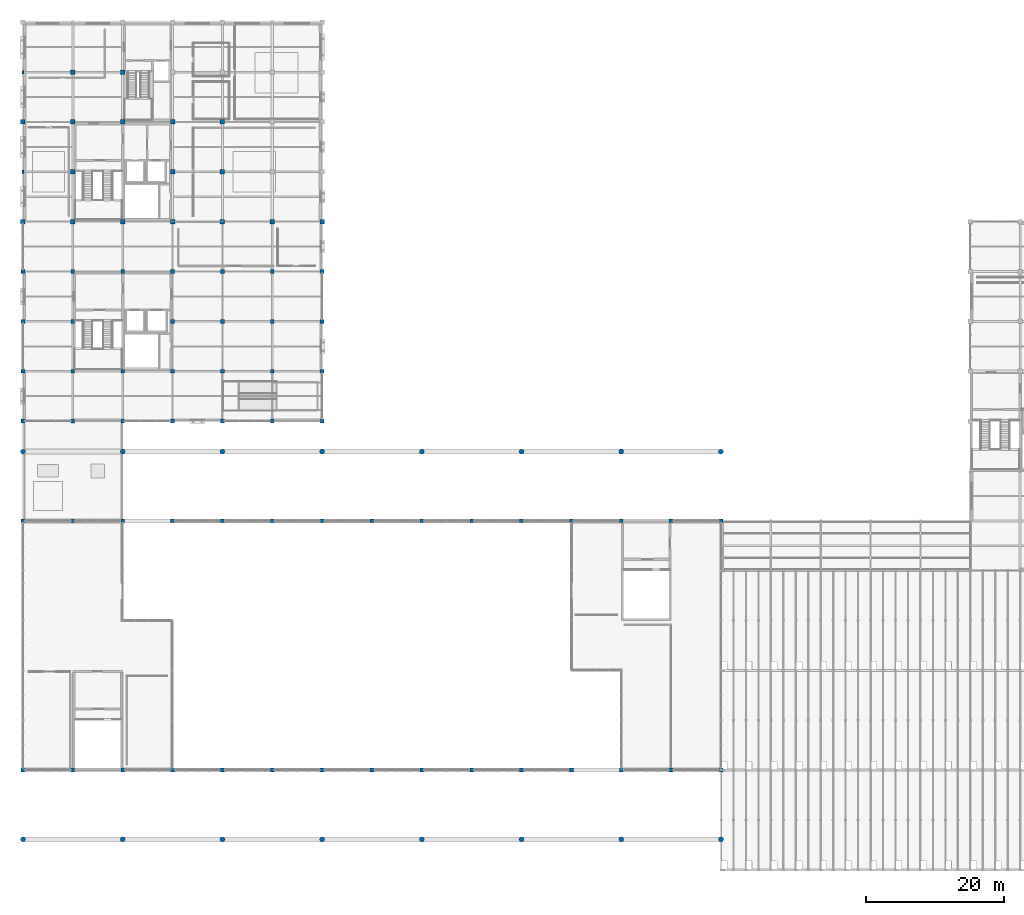
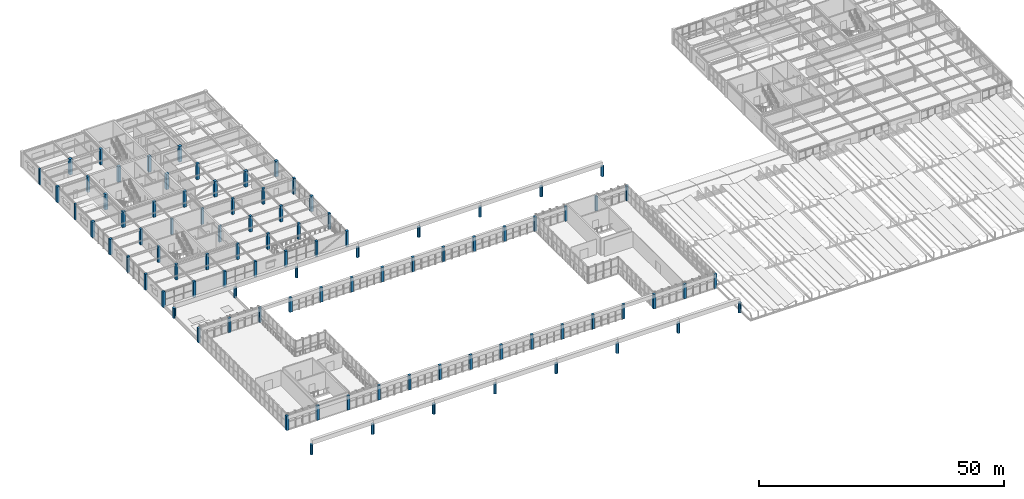
# One storey, part 1 of 83: 92 columns.
"""IFC4 building model written with IfcOpenShell, lengths in metres."""

from ifc_helpers import new_model, si_unit, direction, frame, origin, origin_2d, place, context, subcontext, project, spatial, rectangle, circle, extrude, material, material_profile, profile_set, type_object, element, save


model = new_model("IFC4")

# Units and contexts
model_context = context("Model", 3, precision=1e-05, world=origin(), true_north=direction((0.0, 1.0)))
body_context = subcontext(model_context, "Body", "Model", "MODEL_VIEW")
ifc_project = project(units=[si_unit("LENGTHUNIT", "METRE"), si_unit("AREAUNIT", "SQUARE_METRE"), si_unit("VOLUMEUNIT", "CUBIC_METRE"), si_unit("PLANEANGLEUNIT", "RADIAN"), si_unit("MASSUNIT", "GRAM", prefix="KILO")], contexts=[model_context])

# Site, building, storey
site_placement = place(None, origin())
site = spatial("IfcSite", under=ifc_project, at=site_placement, CompositionType="ELEMENT")
building_placement = place(site_placement, origin())
building = spatial("IfcBuilding", under=site, at=building_placement, Name="Leyfeld Transit Interchange", CompositionType="ELEMENT")
storey_placement = place(building_placement, frame((0.0, 0.0, 5.39990234375)))
storey = spatial("IfcBuildingStorey", under=building, at=storey_placement, Name="L01", CompositionType="ELEMENT", Elevation=5.39990234375)

# Columns
ifc_material = material(Name="Concrete C35/45", Category="concrete")
ifc_material_profile_1 = material_profile(ifc_material, rectangle(XDim=0.35009765625, YDim=0.5, at=origin_2d()), Name="RC 500x350")
ifc_profile_set_1 = profile_set([ifc_material_profile_1], Name="Concrete C35/45")
column_type_1 = type_object("IfcColumnType", Name="COL-PIL-500", PredefinedType="PILASTER", material=ifc_profile_set_1)
for number, where, z_axis, x_axis, name in (
    (1, (0.0, 100.800048828125, 0.0), (0.0, 0.0, 1.0), (1.0, 0.0, 0.0), "Column COL-L01-0000_1008"),
    (2, (0.0, 115.199951171875, 0.0), (0.0, 0.0, 1.0), (1.0, 0.0, 0.0), "Column COL-L01-0000_1152"),
):
    element("IfcColumn", number, at=place(storey_placement, frame(where, z_axis=z_axis, x_axis=x_axis)), inside=storey, type_object=column_type_1, Name=name, PredefinedType="PILASTER", context=body_context, shape_type="SweptSolid", body=[
        extrude(rectangle(XDim=0.35009765625, YDim=0.5, at=origin_2d()), origin(), (0.0, 0.0, 1.0), 3.880126953125),
    ])
ifc_material_profile_2 = material_profile(ifc_material, rectangle(XDim=0.550048828125, YDim=0.550048828125, at=origin_2d()), Name="RC 550x550")
ifc_profile_set_2 = profile_set([ifc_material_profile_2], Name="Concrete C35/45")
column_type_2 = type_object("IfcColumnType", Name="COL-RC-550", PredefinedType="COLUMN", material=ifc_profile_set_2)
for number, where, z_axis, x_axis, name in (
    (3, (0.0, 14.39990234375, 0.0), (0.0, 0.0, 1.0), (1.0, 0.0, 0.0), "Column COL-L01-0000_0144"),
    (4, (0.0, 50.39990234375, 0.0), (0.0, 0.0, 1.0), (1.0, 0.0, 0.0), "Column COL-L01-0000_0504"),
):
    element("IfcColumn", number, at=place(storey_placement, frame(where, z_axis=z_axis, x_axis=x_axis)), inside=storey, type_object=column_type_2, Name=name, PredefinedType="COLUMN", context=body_context, shape_type="SweptSolid", body=[
        extrude(rectangle(XDim=0.550048828125, YDim=0.550048828125, at=origin_2d()), origin(), (0.0, 0.0, 1.0), 3.60009765625),
    ])
for number, where, z_axis, x_axis, name in (
    (5, (0.0, 64.800048828125, 0.0), (0.0, 0.0, 1.0), (1.0, 0.0, 0.0), "Column COL-L01-0000_0648"),
    (6, (0.0, 72.0, 0.0), (0.0, 0.0, 1.0), (0.0, 1.0, 0.0), "Column COL-L01-0000_0720"),
    (7, (0.0, 79.199951171875, 0.0), (0.0, 0.0, 1.0), (0.0, 1.0, 0.0), "Column COL-L01-0000_0792"),
    (8, (0.0, 86.39990234375, 0.0), (0.0, 0.0, 1.0), (0.0, 1.0, 0.0), "Column COL-L01-0000_0864"),
):
    element("IfcColumn", number, at=place(storey_placement, frame(where, z_axis=z_axis, x_axis=x_axis)), inside=storey, type_object=column_type_2, Name=name, PredefinedType="COLUMN", context=body_context, shape_type="SweptSolid", body=[
        extrude(rectangle(XDim=0.550048828125, YDim=0.550048828125, at=origin_2d()), origin(), (0.0, 0.0, 1.0), 3.920166015625),
    ])
for number, where, z_axis, x_axis, name in (
    (9, (7.199951171875, 14.39990234375, 0.0), (0.0, 0.0, 1.0), (1.0, 0.0, 0.0), "Column COL-L01-0072_0144"),
    (10, (7.199951171875, 50.39990234375, 0.0), (0.0, 0.0, 1.0), (1.0, 0.0, 0.0), "Column COL-L01-0072_0504"),
):
    element("IfcColumn", number, at=place(storey_placement, frame(where, z_axis=z_axis, x_axis=x_axis)), inside=storey, type_object=column_type_2, Name=name, PredefinedType="COLUMN", context=body_context, shape_type="SweptSolid", body=[
        extrude(rectangle(XDim=0.550048828125, YDim=0.550048828125, at=origin_2d()), origin(), (0.0, 0.0, 1.0), 3.60009765625),
    ])
for number, where, z_axis, x_axis, name in (
    (11, (7.199951171875, 64.800048828125, 0.0), (0.0, 0.0, 1.0), (1.0, 0.0, 0.0), "Column COL-L01-0072_0648"),
    (12, (7.199951171875, 72.0, 0.0), (0.0, 0.0, 1.0), (1.0, 0.0, 0.0), "Column COL-L01-0072_0720"),
    (13, (7.199951171875, 79.199951171875, 0.0), (0.0, 0.0, 1.0), (1.0, 0.0, 0.0), "Column COL-L01-0072_0792"),
    (14, (7.199951171875, 86.39990234375, 0.0), (0.0, 0.0, 1.0), (1.0, 0.0, 0.0), "Column COL-L01-0072_0864"),
):
    element("IfcColumn", number, at=place(storey_placement, frame(where, z_axis=z_axis, x_axis=x_axis)), inside=storey, type_object=column_type_2, Name=name, PredefinedType="COLUMN", context=body_context, shape_type="SweptSolid", body=[
        extrude(rectangle(XDim=0.550048828125, YDim=0.550048828125, at=origin_2d()), origin(), (0.0, 0.0, 1.0), 3.920166015625),
    ])
for number, where, z_axis, x_axis, name in (
    (15, (14.39990234375, 14.39990234375, 0.0), (0.0, 0.0, 1.0), (1.0, 0.0, 0.0), "Column COL-L01-0144_0144"),
    (16, (14.39990234375, 50.39990234375, 0.0), (0.0, 0.0, 1.0), (1.0, 0.0, 0.0), "Column COL-L01-0144_0504"),
):
    element("IfcColumn", number, at=place(storey_placement, frame(where, z_axis=z_axis, x_axis=x_axis)), inside=storey, type_object=column_type_2, Name=name, PredefinedType="COLUMN", context=body_context, shape_type="SweptSolid", body=[
        extrude(rectangle(XDim=0.550048828125, YDim=0.550048828125, at=origin_2d()), origin(), (0.0, 0.0, 1.0), 3.60009765625),
    ])
for number, where, z_axis, x_axis, name in (
    (17, (14.39990234375, 64.800048828125, 0.0), (0.0, 0.0, 1.0), (1.0, 0.0, 0.0), "Column COL-L01-0144_0648"),
    (18, (14.39990234375, 72.0, 0.0), (0.0, 0.0, 1.0), (1.0, 0.0, 0.0), "Column COL-L01-0144_0720"),
    (19, (14.39990234375, 86.39990234375, 0.0), (0.0, 0.0, 1.0), (1.0, 0.0, 0.0), "Column COL-L01-0144_0864"),
):
    element("IfcColumn", number, at=place(storey_placement, frame(where, z_axis=z_axis, x_axis=x_axis)), inside=storey, type_object=column_type_2, Name=name, PredefinedType="COLUMN", context=body_context, shape_type="SweptSolid", body=[
        extrude(rectangle(XDim=0.550048828125, YDim=0.550048828125, at=origin_2d()), origin(), (0.0, 0.0, 1.0), 3.920166015625),
    ])
for number, where, z_axis, x_axis, name in (
    (20, (21.60009765625, 14.39990234375, 0.0), (0.0, 0.0, 1.0), (1.0, 0.0, 0.0), "Column COL-L01-0216_0144"),
    (21, (21.60009765625, 50.39990234375, 0.0), (0.0, 0.0, 1.0), (1.0, 0.0, 0.0), "Column COL-L01-0216_0504"),
):
    element("IfcColumn", number, at=place(storey_placement, frame(where, z_axis=z_axis, x_axis=x_axis)), inside=storey, type_object=column_type_2, Name=name, PredefinedType="COLUMN", context=body_context, shape_type="SweptSolid", body=[
        extrude(rectangle(XDim=0.550048828125, YDim=0.550048828125, at=origin_2d()), origin(), (0.0, 0.0, 1.0), 3.60009765625),
    ])
for number, where, z_axis, x_axis, name in (
    (22, (21.60009765625, 64.800048828125, 0.0), (0.0, 0.0, 1.0), (1.0, 0.0, 0.0), "Column COL-L01-0216_0648"),
    (23, (21.60009765625, 72.0, 0.0), (0.0, 0.0, 1.0), (1.0, 0.0, 0.0), "Column COL-L01-0216_0720"),
    (24, (21.60009765625, 79.199951171875, 0.0), (0.0, 0.0, 1.0), (1.0, 0.0, 0.0), "Column COL-L01-0216_0792"),
    (25, (21.60009765625, 86.39990234375, 0.0), (0.0, 0.0, 1.0), (1.0, 0.0, 0.0), "Column COL-L01-0216_0864"),
):
    element("IfcColumn", number, at=place(storey_placement, frame(where, z_axis=z_axis, x_axis=x_axis)), inside=storey, type_object=column_type_2, Name=name, PredefinedType="COLUMN", context=body_context, shape_type="SweptSolid", body=[
        extrude(rectangle(XDim=0.550048828125, YDim=0.550048828125, at=origin_2d()), origin(), (0.0, 0.0, 1.0), 3.920166015625),
    ])
for number, where, z_axis, x_axis, name in (
    (26, (28.800048828125, 14.39990234375, 0.0), (0.0, 0.0, 1.0), (1.0, 0.0, 0.0), "Column COL-L01-0288_0144"),
    (27, (28.800048828125, 50.39990234375, 0.0), (0.0, 0.0, 1.0), (1.0, 0.0, 0.0), "Column COL-L01-0288_0504"),
):
    element("IfcColumn", number, at=place(storey_placement, frame(where, z_axis=z_axis, x_axis=x_axis)), inside=storey, type_object=column_type_2, Name=name, PredefinedType="COLUMN", context=body_context, shape_type="SweptSolid", body=[
        extrude(rectangle(XDim=0.550048828125, YDim=0.550048828125, at=origin_2d()), origin(), (0.0, 0.0, 1.0), 3.60009765625),
    ])
for number, where, z_axis, x_axis, name in (
    (28, (28.800048828125, 64.800048828125, 0.0), (0.0, 0.0, 1.0), (1.0, 0.0, 0.0), "Column COL-L01-0288_0648"),
    (29, (28.800048828125, 72.0, 0.0), (0.0, 0.0, 1.0), (1.0, 0.0, 0.0), "Column COL-L01-0288_0720"),
    (30, (28.800048828125, 79.199951171875, 0.0), (0.0, 0.0, 1.0), (1.0, 0.0, 0.0), "Column COL-L01-0288_0792"),
    (31, (28.800048828125, 86.39990234375, 0.0), (0.0, 0.0, 1.0), (1.0, 0.0, 0.0), "Column COL-L01-0288_0864"),
):
    element("IfcColumn", number, at=place(storey_placement, frame(where, z_axis=z_axis, x_axis=x_axis)), inside=storey, type_object=column_type_2, Name=name, PredefinedType="COLUMN", context=body_context, shape_type="SweptSolid", body=[
        extrude(rectangle(XDim=0.550048828125, YDim=0.550048828125, at=origin_2d()), origin(), (0.0, 0.0, 1.0), 3.920166015625),
    ])
for number, where, z_axis, x_axis, name in (
    (32, (36.0, 14.39990234375, 0.0), (0.0, 0.0, 1.0), (1.0, 0.0, 0.0), "Column COL-L01-0360_0144"),
    (33, (36.0, 50.39990234375, 0.0), (0.0, 0.0, 1.0), (1.0, 0.0, 0.0), "Column COL-L01-0360_0504"),
):
    element("IfcColumn", number, at=place(storey_placement, frame(where, z_axis=z_axis, x_axis=x_axis)), inside=storey, type_object=column_type_2, Name=name, PredefinedType="COLUMN", context=body_context, shape_type="SweptSolid", body=[
        extrude(rectangle(XDim=0.550048828125, YDim=0.550048828125, at=origin_2d()), origin(), (0.0, 0.0, 1.0), 3.60009765625),
    ])
for number, where, z_axis, x_axis, name in (
    (34, (36.0, 64.800048828125, 0.0), (0.0, 0.0, 1.0), (1.0, 0.0, 0.0), "Column COL-L01-0360_0648"),
    (35, (36.0, 72.0, 0.0), (0.0, 0.0, 1.0), (1.0, 0.0, 0.0), "Column COL-L01-0360_0720"),
    (36, (36.0, 79.199951171875, 0.0), (0.0, 0.0, 1.0), (1.0, 0.0, 0.0), "Column COL-L01-0360_0792"),
    (37, (36.0, 86.39990234375, 0.0), (0.0, 0.0, 1.0), (1.0, 0.0, 0.0), "Column COL-L01-0360_0864"),
):
    element("IfcColumn", number, at=place(storey_placement, frame(where, z_axis=z_axis, x_axis=x_axis)), inside=storey, type_object=column_type_2, Name=name, PredefinedType="COLUMN", context=body_context, shape_type="SweptSolid", body=[
        extrude(rectangle(XDim=0.550048828125, YDim=0.550048828125, at=origin_2d()), origin(), (0.0, 0.0, 1.0), 3.920166015625),
    ])
for number, where, z_axis, x_axis, name in (
    (38, (43.199951171875, 14.39990234375, 0.0), (0.0, 0.0, 1.0), (1.0, 0.0, 0.0), "Column COL-L01-0432_0144"),
    (39, (43.199951171875, 50.39990234375, 0.0), (0.0, 0.0, 1.0), (1.0, 0.0, 0.0), "Column COL-L01-0432_0504"),
):
    element("IfcColumn", number, at=place(storey_placement, frame(where, z_axis=z_axis, x_axis=x_axis)), inside=storey, type_object=column_type_2, Name=name, PredefinedType="COLUMN", context=body_context, shape_type="SweptSolid", body=[
        extrude(rectangle(XDim=0.550048828125, YDim=0.550048828125, at=origin_2d()), origin(), (0.0, 0.0, 1.0), 3.60009765625),
    ])
for number, where, z_axis, x_axis, name in (
    (40, (43.199951171875, 64.800048828125, 0.0), (0.0, 0.0, 1.0), (1.0, 0.0, 0.0), "Column COL-L01-0432_0648"),
    (41, (43.199951171875, 72.0, 0.0), (0.0, 0.0, 1.0), (0.0, 1.0, 0.0), "Column COL-L01-0432_0720"),
    (42, (43.199951171875, 79.199951171875, 0.0), (0.0, 0.0, 1.0), (0.0, 1.0, 0.0), "Column COL-L01-0432_0792"),
    (43, (43.199951171875, 86.39990234375, 0.0), (0.0, 0.0, 1.0), (0.0, 1.0, 0.0), "Column COL-L01-0432_0864"),
):
    element("IfcColumn", number, at=place(storey_placement, frame(where, z_axis=z_axis, x_axis=x_axis)), inside=storey, type_object=column_type_2, Name=name, PredefinedType="COLUMN", context=body_context, shape_type="SweptSolid", body=[
        extrude(rectangle(XDim=0.550048828125, YDim=0.550048828125, at=origin_2d()), origin(), (0.0, 0.0, 1.0), 3.920166015625),
    ])
for number, where, z_axis, x_axis, name in (
    (44, (50.39990234375, 14.39990234375, 0.0), (0.0, 0.0, 1.0), (1.0, 0.0, 0.0), "Column COL-L01-0504_0144"),
    (45, (50.39990234375, 50.39990234375, 0.0), (0.0, 0.0, 1.0), (1.0, 0.0, 0.0), "Column COL-L01-0504_0504"),
    (46, (57.60009765625, 14.39990234375, 0.0), (0.0, 0.0, 1.0), (1.0, 0.0, 0.0), "Column COL-L01-0576_0144"),
    (47, (57.60009765625, 50.39990234375, 0.0), (0.0, 0.0, 1.0), (1.0, 0.0, 0.0), "Column COL-L01-0576_0504"),
    (48, (64.800048828125, 14.39990234375, 0.0), (0.0, 0.0, 1.0), (1.0, 0.0, 0.0), "Column COL-L01-0648_0144"),
    (49, (64.800048828125, 50.39990234375, 0.0), (0.0, 0.0, 1.0), (1.0, 0.0, 0.0), "Column COL-L01-0648_0504"),
    (50, (72.0, 14.39990234375, 0.0), (0.0, 0.0, 1.0), (1.0, 0.0, 0.0), "Column COL-L01-0720_0144"),
    (51, (72.0, 50.39990234375, 0.0), (0.0, 0.0, 1.0), (1.0, 0.0, 0.0), "Column COL-L01-0720_0504"),
    (52, (79.199951171875, 14.39990234375, 0.0), (0.0, 0.0, 1.0), (1.0, 0.0, 0.0), "Column COL-L01-0792_0144"),
    (53, (79.199951171875, 50.39990234375, 0.0), (0.0, 0.0, 1.0), (1.0, 0.0, 0.0), "Column COL-L01-0792_0504"),
    (54, (86.39990234375, 14.39990234375, 0.0), (0.0, 0.0, 1.0), (1.0, 0.0, 0.0), "Column COL-L01-0864_0144"),
    (55, (86.39990234375, 50.39990234375, 0.0), (0.0, 0.0, 1.0), (1.0, 0.0, 0.0), "Column COL-L01-0864_0504"),
    (56, (93.60009765625, 14.39990234375, 0.0), (0.0, 0.0, 1.0), (1.0, 0.0, 0.0), "Column COL-L01-0936_0144"),
    (57, (93.60009765625, 50.39990234375, 0.0), (0.0, 0.0, 1.0), (1.0, 0.0, 0.0), "Column COL-L01-0936_0504"),
    (58, (100.800048828125, 14.39990234375, 0.0), (0.0, 0.0, 1.0), (1.0, 0.0, 0.0), "Column COL-L01-1008_0144"),
    (59, (100.800048828125, 50.39990234375, 0.0), (0.0, 0.0, 1.0), (1.0, 0.0, 0.0), "Column COL-L01-1008_0504"),
):
    element("IfcColumn", number, at=place(storey_placement, frame(where, z_axis=z_axis, x_axis=x_axis)), inside=storey, type_object=column_type_2, Name=name, PredefinedType="COLUMN", context=body_context, shape_type="SweptSolid", body=[
        extrude(rectangle(XDim=0.550048828125, YDim=0.550048828125, at=origin_2d()), origin(), (0.0, 0.0, 1.0), 3.60009765625),
    ])
ifc_material_profile_3 = material_profile(ifc_material, rectangle(XDim=0.64990234375, YDim=0.64990234375, at=origin_2d()), Name="RC 650x650")
ifc_profile_set_3 = profile_set([ifc_material_profile_3], Name="Concrete C35/45")
column_type_3 = type_object("IfcColumnType", Name="COL-RC-650", PredefinedType="COLUMN", material=ifc_profile_set_3)
for number, where, z_axis, x_axis, name in (
    (60, (0.0, 93.60009765625, 0.0), (0.0, 0.0, 1.0), (0.0, 1.0, 0.0), "Column COL-L01-0000_0936"),
    (61, (0.0, 108.0, 0.0), (0.0, 0.0, 1.0), (1.0, 0.0, 0.0), "Column COL-L01-0000_1080"),
    (62, (7.199951171875, 93.60009765625, 0.0), (0.0, 0.0, 1.0), (1.0, 0.0, 0.0), "Column COL-L01-0072_0936"),
    (63, (7.199951171875, 100.800048828125, 0.0), (0.0, 0.0, 1.0), (1.0, 0.0, 0.0), "Column COL-L01-0072_1008"),
    (64, (7.199951171875, 108.0, 0.0), (0.0, 0.0, 1.0), (1.0, 0.0, 0.0), "Column COL-L01-0072_1080"),
    (65, (7.199951171875, 115.199951171875, 0.0), (0.0, 0.0, 1.0), (1.0, 0.0, 0.0), "Column COL-L01-0072_1152"),
    (66, (14.39990234375, 93.60009765625, 0.0), (0.0, 0.0, 1.0), (1.0, 0.0, 0.0), "Column COL-L01-0144_0936"),
    (67, (14.39990234375, 108.0, 0.0), (0.0, 0.0, 1.0), (1.0, 0.0, 0.0), "Column COL-L01-0144_1080"),
    (68, (14.39990234375, 115.199951171875, 0.0), (0.0, 0.0, 1.0), (1.0, 0.0, 0.0), "Column COL-L01-0144_1152"),
    (69, (21.60009765625, 93.60009765625, 0.0), (0.0, 0.0, 1.0), (1.0, 0.0, 0.0), "Column COL-L01-0216_0936"),
    (70, (21.60009765625, 100.800048828125, 0.0), (0.0, 0.0, 1.0), (1.0, 0.0, 0.0), "Column COL-L01-0216_1008"),
    (71, (21.60009765625, 108.0, 0.0), (0.0, 0.0, 1.0), (1.0, 0.0, 0.0), "Column COL-L01-0216_1080"),
    (72, (28.800048828125, 93.60009765625, 0.0), (0.0, 0.0, 1.0), (1.0, 0.0, 0.0), "Column COL-L01-0288_0936"),
    (73, (28.800048828125, 100.800048828125, 0.0), (0.0, 0.0, 1.0), (1.0, 0.0, 0.0), "Column COL-L01-0288_1008"),
    (74, (28.800048828125, 108.0, 0.0), (0.0, 0.0, 1.0), (1.0, 0.0, 0.0), "Column COL-L01-0288_1080"),
    (75, (36.0, 93.60009765625, 0.0), (0.0, 0.0, 1.0), (1.0, 0.0, 0.0), "Column COL-L01-0360_0936"),
    (76, (43.199951171875, 93.60009765625, 0.0), (0.0, 0.0, 1.0), (0.0, 1.0, 0.0), "Column COL-L01-0432_0936"),
):
    element("IfcColumn", number, at=place(storey_placement, frame(where, z_axis=z_axis, x_axis=x_axis)), inside=storey, type_object=column_type_3, Name=name, PredefinedType="COLUMN", context=body_context, shape_type="SweptSolid", body=[
        extrude(rectangle(XDim=0.64990234375, YDim=0.64990234375, at=origin_2d()), origin(), (0.0, 0.0, 1.0), 3.880126953125),
    ])
ifc_material_profile_4 = material_profile(ifc_material, circle(Radius=0.35009765625, at=origin_2d()), Name="RC D700")
ifc_profile_set_4 = profile_set([ifc_material_profile_4], Name="Concrete C35/45")
column_type_4 = type_object("IfcColumnType", Name="COL-RC-D700", PredefinedType="COLUMN", material=ifc_profile_set_4)
for number, where, z_axis, x_axis, name in (
    (77, (0.0, 4.39990234375, 0.0), (0.0, 0.0, 1.0), (1.0, 0.0, 0.0), "Column COL-L01-0000_0044"),
    (78, (0.0, 60.39990234375, 0.0), (0.0, 0.0, 1.0), (1.0, 0.0, 0.0), "Column COL-L01-0000_0604"),
    (79, (14.39990234375, 4.39990234375, 0.0), (0.0, 0.0, 1.0), (1.0, 0.0, 0.0), "Column COL-L01-0144_0044"),
    (80, (14.39990234375, 60.39990234375, 0.0), (0.0, 0.0, 1.0), (1.0, 0.0, 0.0), "Column COL-L01-0144_0604"),
    (81, (28.800048828125, 4.39990234375, 0.0), (0.0, 0.0, 1.0), (1.0, 0.0, 0.0), "Column COL-L01-0288_0044"),
    (82, (28.800048828125, 60.39990234375, 0.0), (0.0, 0.0, 1.0), (1.0, 0.0, 0.0), "Column COL-L01-0288_0604"),
    (83, (43.199951171875, 4.39990234375, 0.0), (0.0, 0.0, 1.0), (1.0, 0.0, 0.0), "Column COL-L01-0432_0044"),
    (84, (43.199951171875, 60.39990234375, 0.0), (0.0, 0.0, 1.0), (1.0, 0.0, 0.0), "Column COL-L01-0432_0604"),
    (85, (57.60009765625, 4.39990234375, 0.0), (0.0, 0.0, 1.0), (1.0, 0.0, 0.0), "Column COL-L01-0576_0044"),
    (86, (57.60009765625, 60.39990234375, 0.0), (0.0, 0.0, 1.0), (1.0, 0.0, 0.0), "Column COL-L01-0576_0604"),
    (87, (72.0, 4.39990234375, 0.0), (0.0, 0.0, 1.0), (1.0, 0.0, 0.0), "Column COL-L01-0720_0044"),
    (88, (72.0, 60.39990234375, 0.0), (0.0, 0.0, 1.0), (1.0, 0.0, 0.0), "Column COL-L01-0720_0604"),
    (89, (86.39990234375, 4.39990234375, 0.0), (0.0, 0.0, 1.0), (1.0, 0.0, 0.0), "Column COL-L01-0864_0044"),
    (90, (86.39990234375, 60.39990234375, 0.0), (0.0, 0.0, 1.0), (1.0, 0.0, 0.0), "Column COL-L01-0864_0604"),
    (91, (100.800048828125, 4.39990234375, 0.0), (0.0, 0.0, 1.0), (1.0, 0.0, 0.0), "Column COL-L01-1008_0044"),
    (92, (100.800048828125, 60.39990234375, 0.0), (0.0, 0.0, 1.0), (1.0, 0.0, 0.0), "Column COL-L01-1008_0604"),
):
    element("IfcColumn", number, at=place(storey_placement, frame(where, z_axis=z_axis, x_axis=x_axis)), inside=storey, type_object=column_type_4, Name=name, PredefinedType="COLUMN", context=body_context, shape_type="SweptSolid", body=[
        extrude(circle(Radius=0.35009765625, at=origin_2d()), origin(), (0.0, 0.0, 1.0), 2.5),
    ])

save(model, "model.ifc")
